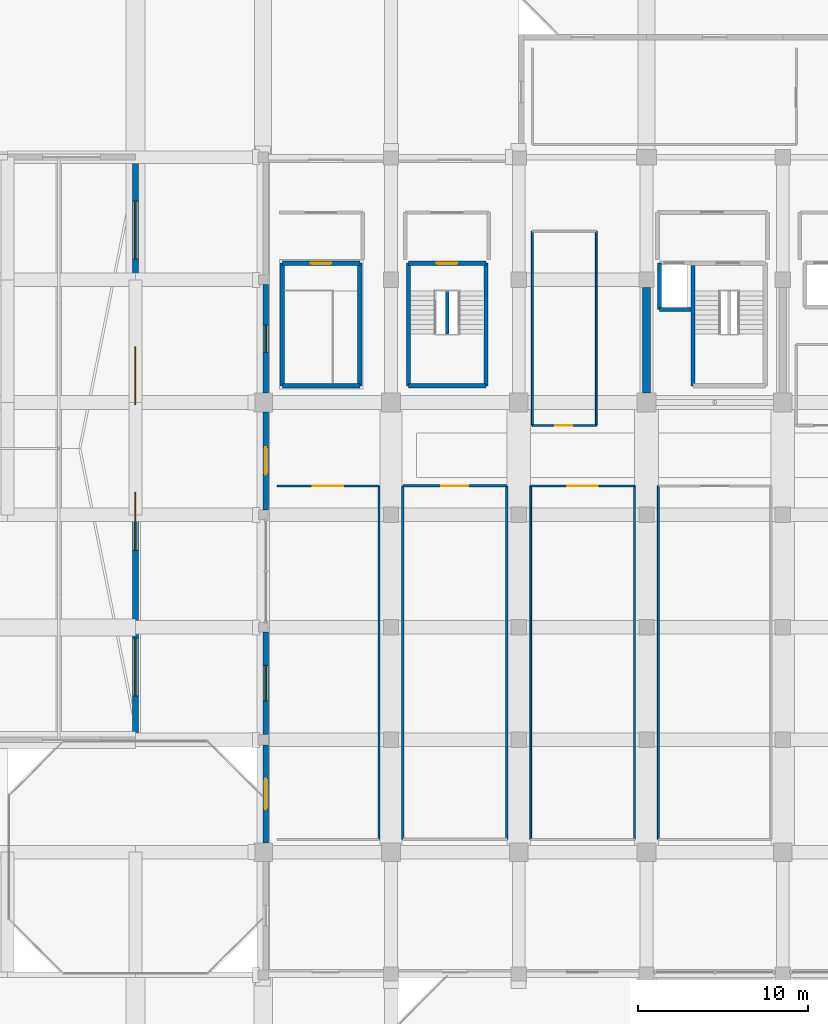
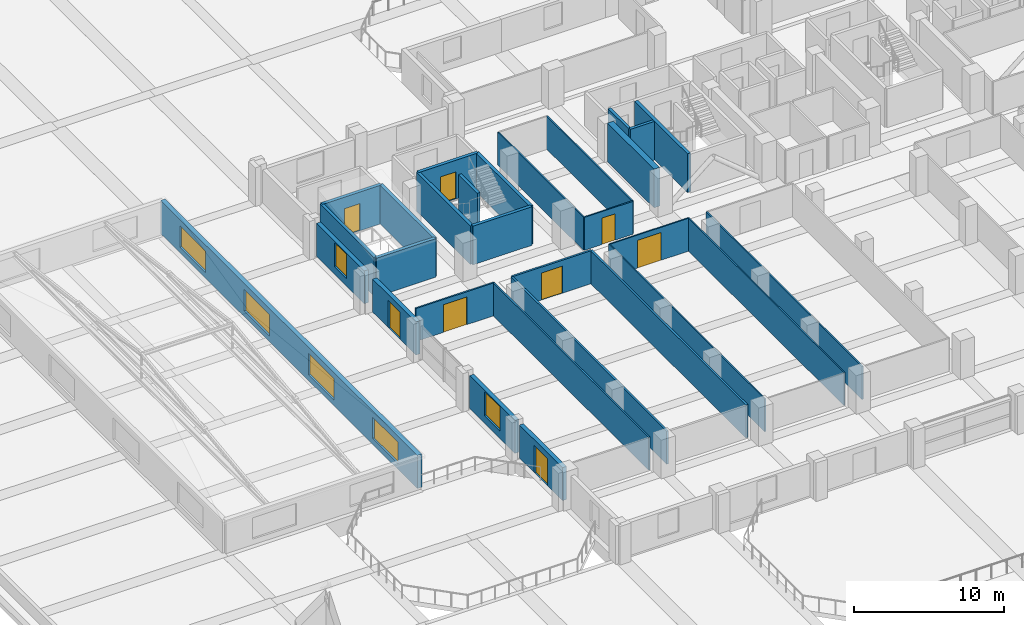
# One storey, part 34 of 49: 30 walls, 8 doors, 6 windows, 14 openings.
"""IFC4 building model written with IfcOpenShell, lengths in metres."""

from ifc_helpers import new_model, si_unit, direction, frame, frame_2d, origin, place, context, subcontext, project, spatial, rectangle, extrude, material, layer, layer_set, type_object, element, fill, save


model = new_model("IFC4")

# Units and contexts
model_context = context("Model", 3, precision=1e-05, world=origin(), true_north=direction((0.0, 1.0)))
body_context = subcontext(model_context, "Body", "Model", "MODEL_VIEW")
ifc_project = project(units=[si_unit("LENGTHUNIT", "METRE"), si_unit("AREAUNIT", "SQUARE_METRE"), si_unit("VOLUMEUNIT", "CUBIC_METRE"), si_unit("PLANEANGLEUNIT", "RADIAN"), si_unit("MASSUNIT", "GRAM", prefix="KILO")], contexts=[model_context])

# Site, building, storey
site_placement = place(None, origin())
site = spatial("IfcSite", under=ifc_project, at=site_placement, CompositionType="ELEMENT")
building_placement = place(site_placement, origin())
building = spatial("IfcBuilding", under=site, at=building_placement, Name="Akrevak Sports Hall", CompositionType="ELEMENT")
storey_placement = place(building_placement, frame((0.0, 0.0, 24.14990234375)))
storey = spatial("IfcBuildingStorey", under=building, at=storey_placement, Name="L04", CompositionType="ELEMENT", Elevation=24.14990234375)

# Wall, opening, window
ifc_material_1 = material(Name="Limestone Ashlar", Category="stone")
ifc_layer_1 = layer(ifc_material_1, 0.070068359375, Name="Limestone Ashlar")
ifc_material_2 = material(Name="Mineral Wool Thermal Insulation", Category="insulation")
ifc_layer_2 = layer(ifc_material_2, 0.090087890625, Name="Mineral Wool Thermal Insulation")
ifc_material_3 = material(Name="Concrete C40/50", Category="concrete")
ifc_layer_3 = layer(ifc_material_3, 0.159912109375, Name="Concrete C40/50")
ifc_layer_set_1 = layer_set([ifc_layer_1, ifc_layer_2, ifc_layer_3], Name="Limestone Ashlar / Mineral Wool Thermal Insulation / Concrete C40/50")
wall_type_1 = type_object("IfcWallType", Name="ARC-WL-EXT-320", PredefinedType="SOLIDWALL", material=ifc_layer_set_1)
wall_1_placement = place(storey_placement, frame((37.659912109375, 62.125, 0.0), z_axis=(0.0, 0.0, 1.0), x_axis=(0.0, -1.0, 0.0)))
wall_1 = element("IfcWall", 1, at=wall_1_placement, inside=storey, type_object=wall_type_1, Name="Tower Stone Facade Wall L04-W31", PredefinedType="SOLIDWALL", context=body_context, shape_type="SweptSolid", body=[
    extrude(rectangle(XDim=6.375, YDim=0.320068359375, at=frame_2d((3.1875, 0.0))), origin(), (0.0, 0.0, 1.0), 2.68017578125),
])
opening_1_placement = place(wall_1_placement, frame((2.387451171875, 0.0, 0.6201171875)))
opening_1 = element("IfcOpeningElement", 2, at=opening_1_placement, cuts=wall_1, Name="Opening WN-43", PredefinedType="OPENING", context=body_context, shape_type="SweptSolid", body=[
    extrude(rectangle(XDim=1.60009765625, YDim=1.9599609375, at=frame_2d((0.800048828125, 0.97998046875))), frame((0.0, 0.171875, 0.0), z_axis=(0.0, -1.0, 0.0), x_axis=(1.0, 0.0, 0.0)), (0.0, 0.0, 1.0), 0.343994140625),
])
ifc_material_4 = material(Name="Thermally Broken Bronze Frame & Double Low-E Glass", Category="glass")
window_type_1 = type_object("IfcWindowType", Name="ARC-WIN-SZ-1600x1960", PartitioningType="SINGLE_PANEL", PredefinedType="WINDOW", material=ifc_material_4)
window_1_placement = place(opening_1_placement, origin())
window_1 = element("IfcWindow", 3, at=window_1_placement, inside=storey, type_object=window_type_1, Name="Tower Window L04-W31", OverallHeight=1.9599609375, OverallWidth=1.60009765625, PartitioningType="SINGLE_PANEL", PredefinedType="WINDOW", context=body_context, shape_type="SweptSolid", body=[
    extrude(rectangle(XDim=1.60009765625, YDim=1.9599609375, at=frame_2d((0.800048828125, 0.97998046875))), frame((0.0, 0.030029296875, 0.0), z_axis=(0.0, -1.0, 0.0), x_axis=(1.0, 0.0, 0.0)), (0.0, 0.0, 1.0), 0.06005859375),
])
fill(opening_1, window_1)

# Wall, opening, door
wall_2_placement = place(storey_placement, frame((37.659912109375, 54.64990234375, 0.0), z_axis=(0.0, 0.0, 1.0), x_axis=(0.0, -1.0, 0.0)))
wall_2 = element("IfcWall", 4, at=wall_2_placement, inside=storey, type_object=wall_type_1, Name="Tower Stone Facade Wall L04-W32", PredefinedType="SOLIDWALL", context=body_context, shape_type="SweptSolid", body=[
    extrude(rectangle(XDim=5.77490234375, YDim=0.320068359375, at=frame_2d((2.887451171875, 0.0))), origin(), (0.0, 0.0, 1.0), 2.68017578125),
])
opening_2_placement = place(wall_2_placement, frame((2.08740234375, 0.0, 0.0)))
opening_2 = element("IfcOpeningElement", 5, at=opening_2_placement, cuts=wall_2, Name="Opening TD-02", PredefinedType="OPENING", context=body_context, shape_type="SweptSolid", body=[
    extrude(rectangle(XDim=1.60009765625, YDim=2.199951171875, at=frame_2d((0.800048828125, 1.10009765625))), frame((0.0, 0.171875, 0.0), z_axis=(0.0, -1.0, 0.0), x_axis=(1.0, 0.0, 0.0)), (0.0, 0.0, 1.0), 0.343994140625),
])
ifc_material_5 = material(Name="Anodized Bronze Aluminium & Tempered Glass", Category="aluminium")
door_type_1 = type_object("IfcDoorType", Name="ARC-DR-TERR-160x220", OperationType="DOUBLE_DOOR_SINGLE_SWING", PredefinedType="DOOR", material=ifc_material_5)
door_1_placement = place(opening_2_placement, frame((1.60009765625, 0.0, 0.0), z_axis=(0.0, 0.0, 1.0), x_axis=(-1.0, 0.0, 0.0)))
door_1 = element("IfcDoor", 6, at=door_1_placement, inside=storey, type_object=door_type_1, Name="Maintenance Roof Access Door TD-09", OperationType="DOUBLE_DOOR_SINGLE_SWING", OverallHeight=2.199951171875, OverallWidth=1.60009765625, PredefinedType="DOOR", context=body_context, shape_type="SweptSolid", body=[
    extrude(rectangle(XDim=1.60009765625, YDim=2.199951171875, at=frame_2d((0.800048828125, 1.10009765625))), frame((0.0, 0.02490234375, 0.0), z_axis=(0.0, -1.0, 0.0), x_axis=(1.0, 0.0, 0.0)), (0.0, 0.0, 1.0), 0.050048828125),
])
fill(opening_2, door_1)

# Wall, opening, window
wall_3_placement = place(storey_placement, frame((37.659912109375, 41.72509765625, 0.0), z_axis=(0.0, 0.0, 1.0), x_axis=(0.0, -1.0, 0.0)))
wall_3 = element("IfcWall", 7, at=wall_3_placement, inside=storey, type_object=wall_type_1, Name="Tower Stone Facade Wall L04-W34", PredefinedType="SOLIDWALL", context=body_context, shape_type="SweptSolid", body=[
    extrude(rectangle(XDim=6.025146484375, YDim=0.320068359375, at=frame_2d((3.0126953125, 0.0))), origin(), (0.0, 0.0, 1.0), 2.68017578125),
])
opening_3_placement = place(wall_3_placement, frame((1.96240234375, 0.0, 0.6201171875)))
opening_3 = element("IfcOpeningElement", 8, at=opening_3_placement, cuts=wall_3, Name="Opening WN-46", PredefinedType="OPENING", context=body_context, shape_type="SweptSolid", body=[
    extrude(rectangle(XDim=2.10009765625, YDim=1.9599609375, at=frame_2d((1.050048828125, 0.97998046875))), frame((0.0, 0.171875, 0.0), z_axis=(0.0, -1.0, 0.0), x_axis=(1.0, 0.0, 0.0)), (0.0, 0.0, 1.0), 0.343994140625),
])
window_type_2 = type_object("IfcWindowType", Name="ARC-WIN-SZ-2100x1960", PartitioningType="SINGLE_PANEL", PredefinedType="WINDOW", material=ifc_material_4)
window_2_placement = place(opening_3_placement, origin())
window_2 = element("IfcWindow", 9, at=window_2_placement, inside=storey, type_object=window_type_2, Name="Tower Window L04-W34", OverallHeight=1.9599609375, OverallWidth=2.10009765625, PartitioningType="SINGLE_PANEL", PredefinedType="WINDOW", context=body_context, shape_type="SweptSolid", body=[
    extrude(rectangle(XDim=2.10009765625, YDim=1.9599609375, at=frame_2d((1.050048828125, 0.97998046875))), frame((0.0, 0.030029296875, 0.0), z_axis=(0.0, -1.0, 0.0), x_axis=(1.0, 0.0, 0.0)), (0.0, 0.0, 1.0), 0.06005859375),
])
fill(opening_3, window_2)

# Wall, opening, door
wall_4_placement = place(storey_placement, frame((37.659912109375, 35.10009765625, 0.0), z_axis=(0.0, 0.0, 1.0), x_axis=(0.0, -1.0, 0.0)))
wall_4 = element("IfcWall", 10, at=wall_4_placement, inside=storey, type_object=wall_type_1, Name="Tower Stone Facade Wall L04-W35", PredefinedType="SOLIDWALL", context=body_context, shape_type="SweptSolid", body=[
    extrude(rectangle(XDim=5.75, YDim=0.320068359375, at=frame_2d((2.875, 0.0))), origin(), (0.0, 0.0, 1.0), 2.68017578125),
])
opening_4_placement = place(wall_4_placement, frame((1.97509765625, 0.0, 0.0)))
opening_4 = element("IfcOpeningElement", 11, at=opening_4_placement, cuts=wall_4, Name="Opening TD-01", PredefinedType="OPENING", context=body_context, shape_type="SweptSolid", body=[
    extrude(rectangle(XDim=1.800048828125, YDim=2.199951171875, at=frame_2d((0.89990234375, 1.10009765625))), frame((0.0, 0.171875, 0.0), z_axis=(0.0, -1.0, 0.0), x_axis=(1.0, 0.0, 0.0)), (0.0, 0.0, 1.0), 0.343994140625),
])
door_type_2 = type_object("IfcDoorType", Name="ARC-DR-TERR-180x220", OperationType="DOUBLE_DOOR_SINGLE_SWING", PredefinedType="DOOR", material=ifc_material_5)
door_2_placement = place(opening_4_placement, frame((1.800048828125, 0.0, 0.0), z_axis=(0.0, 0.0, 1.0), x_axis=(-1.0, 0.0, 0.0)))
door_2 = element("IfcDoor", 12, at=door_2_placement, inside=storey, type_object=door_type_2, Name="Podium West Garden Terrace Door TD-01", OperationType="DOUBLE_DOOR_SINGLE_SWING", OverallHeight=2.199951171875, OverallWidth=1.800048828125, PredefinedType="DOOR", context=body_context, shape_type="SweptSolid", body=[
    extrude(rectangle(XDim=1.800048828125, YDim=2.199951171875, at=frame_2d((0.89990234375, 1.10009765625))), frame((0.0, 0.02490234375, 0.0), z_axis=(0.0, -1.0, 0.0), x_axis=(1.0, 0.0, 0.0)), (0.0, 0.0, 1.0), 0.050048828125),
])
fill(opening_4, door_2)

# Wall, openings, windows
ifc_layer_4 = layer(ifc_material_1, 0.070068359375, Name="Limestone Ashlar")
ifc_layer_5 = layer(ifc_material_2, 0.10009765625, Name="Mineral Wool Thermal Insulation")
ifc_layer_6 = layer(ifc_material_3, 0.169921875, Name="Concrete C40/50")
ifc_layer_set_2 = layer_set([ifc_layer_4, ifc_layer_5, ifc_layer_6], Name="Limestone Ashlar / Mineral Wool Thermal Insulation / Concrete C40/50")
wall_type_2 = type_object("IfcWallType", Name="ARC-WL-EXT-340", PredefinedType="SOLIDWALL", material=ifc_layer_set_2)
wall_5_placement = place(storey_placement, frame((30.0, 35.39990234375, 0.0), z_axis=(0.0, 0.0, 1.0), x_axis=(0.0, 1.0, 0.0)))
wall_5 = element("IfcWall", 13, at=wall_5_placement, inside=storey, type_object=wall_type_2, Name="West Sports Hall Clerestory Monitor E Wall", PredefinedType="SOLIDWALL", context=body_context, shape_type="SweptSolid", body=[
    extrude(rectangle(XDim=34.2001953125, YDim=0.340087890625, at=frame_2d((17.10009765625, 0.0))), origin(), (0.0, 0.0, 1.0), 2.7001953125),
])
opening_5_placement = place(wall_5_placement, frame((2.574951171875, 0.0, 0.4599609375)))
opening_5 = element("IfcOpeningElement", 14, at=opening_5_placement, cuts=wall_5, Name="Opening WN-59", PredefinedType="OPENING", context=body_context, shape_type="SweptSolid", body=[
    extrude(rectangle(XDim=3.39990234375, YDim=1.739990234375, at=frame_2d((1.699951171875, 0.8701171875))), frame((0.0, 0.18212890625, 0.0), z_axis=(0.0, -1.0, 0.0), x_axis=(1.0, 0.0, 0.0)), (0.0, 0.0, 1.0), 0.364013671875),
])
opening_6_placement = place(wall_5_placement, frame((11.125, 0.0, 0.4599609375)))
opening_6 = element("IfcOpeningElement", 15, at=opening_6_placement, cuts=wall_5, Name="Opening WN-59", PredefinedType="OPENING", context=body_context, shape_type="SweptSolid", body=[
    extrude(rectangle(XDim=3.39990234375, YDim=1.739990234375, at=frame_2d((1.699951171875, 0.8701171875))), frame((0.0, 0.18212890625, 0.0), z_axis=(0.0, -1.0, 0.0), x_axis=(1.0, 0.0, 0.0)), (0.0, 0.0, 1.0), 0.364013671875),
])
opening_7_placement = place(wall_5_placement, frame((19.675048828125, 0.0, 0.4599609375)))
opening_7 = element("IfcOpeningElement", 16, at=opening_7_placement, cuts=wall_5, Name="Opening WN-59", PredefinedType="OPENING", context=body_context, shape_type="SweptSolid", body=[
    extrude(rectangle(XDim=3.39990234375, YDim=1.739990234375, at=frame_2d((1.699951171875, 0.8701171875))), frame((0.0, 0.18212890625, 0.0), z_axis=(0.0, -1.0, 0.0), x_axis=(1.0, 0.0, 0.0)), (0.0, 0.0, 1.0), 0.364013671875),
])
opening_8_placement = place(wall_5_placement, frame((28.22509765625, 0.0, 0.4599609375)))
opening_8 = element("IfcOpeningElement", 17, at=opening_8_placement, cuts=wall_5, Name="Opening WN-59", PredefinedType="OPENING", context=body_context, shape_type="SweptSolid", body=[
    extrude(rectangle(XDim=3.39990234375, YDim=1.739990234375, at=frame_2d((1.699951171875, 0.8701171875))), frame((0.0, 0.18212890625, 0.0), z_axis=(0.0, -1.0, 0.0), x_axis=(1.0, 0.0, 0.0)), (0.0, 0.0, 1.0), 0.364013671875),
])
window_type_3 = type_object("IfcWindowType", Name="ARC-WIN-SZ-3400x1740", PartitioningType="SINGLE_PANEL", PredefinedType="WINDOW", material=ifc_material_4)
window_3_placement = place(opening_5_placement, origin())
window_3 = element("IfcWindow", 18, at=window_3_placement, inside=storey, type_object=window_type_3, Name="West Sports Hall Clerestory Monitor Clerestory Window E.1", OverallHeight=1.739990234375, OverallWidth=3.39990234375, PartitioningType="SINGLE_PANEL", PredefinedType="WINDOW", context=body_context, shape_type="SweptSolid", body=[
    extrude(rectangle(XDim=3.39990234375, YDim=1.739990234375, at=frame_2d((1.699951171875, 0.8701171875))), frame((0.0, 0.030029296875, 0.0), z_axis=(0.0, -1.0, 0.0), x_axis=(1.0, 0.0, 0.0)), (0.0, 0.0, 1.0), 0.06005859375),
])
fill(opening_5, window_3)
window_4_placement = place(opening_6_placement, origin())
window_4 = element("IfcWindow", 19, at=window_4_placement, inside=storey, type_object=window_type_3, Name="West Sports Hall Clerestory Monitor Clerestory Window E.2", OverallHeight=1.739990234375, OverallWidth=3.39990234375, PartitioningType="SINGLE_PANEL", PredefinedType="WINDOW", context=body_context, shape_type="SweptSolid", body=[
    extrude(rectangle(XDim=3.39990234375, YDim=1.739990234375, at=frame_2d((1.699951171875, 0.8701171875))), frame((0.0, 0.030029296875, 0.0), z_axis=(0.0, -1.0, 0.0), x_axis=(1.0, 0.0, 0.0)), (0.0, 0.0, 1.0), 0.06005859375),
])
fill(opening_6, window_4)
window_5_placement = place(opening_7_placement, origin())
window_5 = element("IfcWindow", 20, at=window_5_placement, inside=storey, type_object=window_type_3, Name="West Sports Hall Clerestory Monitor Clerestory Window E.3", OverallHeight=1.739990234375, OverallWidth=3.39990234375, PartitioningType="SINGLE_PANEL", PredefinedType="WINDOW", context=body_context, shape_type="SweptSolid", body=[
    extrude(rectangle(XDim=3.39990234375, YDim=1.739990234375, at=frame_2d((1.699951171875, 0.8701171875))), frame((0.0, 0.030029296875, 0.0), z_axis=(0.0, -1.0, 0.0), x_axis=(1.0, 0.0, 0.0)), (0.0, 0.0, 1.0), 0.06005859375),
])
fill(opening_7, window_5)
window_6_placement = place(opening_8_placement, origin())
window_6 = element("IfcWindow", 21, at=window_6_placement, inside=storey, type_object=window_type_3, Name="West Sports Hall Clerestory Monitor Clerestory Window E.4", OverallHeight=1.739990234375, OverallWidth=3.39990234375, PartitioningType="SINGLE_PANEL", PredefinedType="WINDOW", context=body_context, shape_type="SweptSolid", body=[
    extrude(rectangle(XDim=3.39990234375, YDim=1.739990234375, at=frame_2d((1.699951171875, 0.8701171875))), frame((0.0, 0.030029296875, 0.0), z_axis=(0.0, -1.0, 0.0), x_axis=(1.0, 0.0, 0.0)), (0.0, 0.0, 1.0), 0.06005859375),
])
fill(opening_8, window_6)

# Wall, opening, door
ifc_material_6 = material(Name="Sanitary Cubicle Partition", Category="gypsum")
ifc_layer_7 = layer(ifc_material_6, 0.10009765625, Name="Sanitary Cubicle Partition")
ifc_layer_set_3 = layer_set([ifc_layer_7], Name="Sanitary Cubicle Partition")
wall_type_3 = type_object("IfcWallType", Name="ARC-WL-PRT-100", PredefinedType="PARTITIONING", material=ifc_layer_set_3)
wall_6_placement = place(storey_placement, frame((53.199951171875, 50.300048828125, 0.0), z_axis=(0.0, 0.0, 1.0), x_axis=(1.0, 0.0, 0.0)))
wall_6 = element("IfcWall", 22, at=wall_6_placement, inside=storey, type_object=wall_type_3, Name="Interior Partition Olympic Trophy & Heritage Gallery West (N)", PredefinedType="PARTITIONING", context=body_context, shape_type="SweptSolid", body=[
    extrude(rectangle(XDim=6.10009765625, YDim=0.10009765625, at=frame_2d((3.050048828125, 0.0))), origin(), (0.0, 0.0, 1.0), 2.68017578125),
])
opening_9_placement = place(wall_6_placement, frame((2.14990234375, 0.0, 0.0)))
opening_9 = element("IfcOpeningElement", 23, at=opening_9_placement, cuts=wall_6, Name="Opening ID-02", PredefinedType="OPENING", context=body_context, shape_type="SweptSolid", body=[
    extrude(rectangle(XDim=1.800048828125, YDim=2.25, at=frame_2d((0.89990234375, 1.125))), frame((0.0, 0.06201171875, 0.0), z_axis=(0.0, -1.0, 0.0), x_axis=(1.0, 0.0, 0.0)), (0.0, 0.0, 1.0), 0.1240234375),
])
ifc_material_7 = material(Name="Hardwood Oak & Safety Glass", Category="wood")
door_type_3 = type_object("IfcDoorType", Name="ARC-DR-HALL-180x225", OperationType="DOUBLE_DOOR_SINGLE_SWING", PredefinedType="DOOR", material=ifc_material_7)
door_3_placement = place(opening_9_placement, origin())
door_3 = element("IfcDoor", 24, at=door_3_placement, inside=storey, type_object=door_type_3, Name="Door to Olympic Trophy & Heritage Gallery West", OperationType="DOUBLE_DOOR_SINGLE_SWING", OverallHeight=2.25, OverallWidth=1.800048828125, PredefinedType="DOOR", context=body_context, shape_type="SweptSolid", body=[
    extrude(rectangle(XDim=1.800048828125, YDim=2.25, at=frame_2d((0.89990234375, 1.125))), frame((0.0, 0.02490234375, 0.0), z_axis=(0.0, -1.0, 0.0), x_axis=(1.0, 0.0, 0.0)), (0.0, 0.0, 1.0), 0.050048828125),
])
fill(opening_9, door_3)

# Walls
for number, where, z_axis, x_axis, name in (
    (25, (53.199951171875, 29.550048828125, 0.0), (0.0, 0.0, 1.0), (0.0, 1.0, 0.0), "Interior Partition Olympic Trophy & Heritage Gallery West (W)"),
    (26, (59.300048828125, 29.550048828125, 0.0), (0.0, 0.0, 1.0), (0.0, 1.0, 0.0), "Interior Partition Olympic Trophy & Heritage Gallery West (E)"),
):
    element("IfcWall", number, at=place(storey_placement, frame(where, z_axis=z_axis, x_axis=x_axis)), inside=storey, type_object=wall_type_3, Name=name, PredefinedType="PARTITIONING", context=body_context, shape_type="SweptSolid", body=[
        extrude(rectangle(XDim=20.75, YDim=0.10009765625, at=frame_2d((10.375, 0.0))), origin(), (0.0, 0.0, 1.0), 2.68017578125),
    ])
ifc_material_8 = material(Name="Lightweight Office Partition", Category="gypsum")
ifc_layer_8 = layer(ifc_material_8, 0.110107421875, Name="Lightweight Office Partition")
ifc_layer_set_4 = layer_set([ifc_layer_8], Name="Lightweight Office Partition")
wall_type_4 = type_object("IfcWallType", Name="ARC-WL-PRT-110", PredefinedType="PARTITIONING", material=ifc_layer_set_4)
wall_7_placement = place(storey_placement, frame((60.699951171875, 29.550048828125, 0.0), z_axis=(0.0, 0.0, 1.0), x_axis=(0.0, 1.0, 0.0)))
element("IfcWall", 27, at=wall_7_placement, inside=storey, type_object=wall_type_4, Name="Interior Partition National Delegates Conference Room L04 (W)", PredefinedType="PARTITIONING", context=body_context, shape_type="SweptSolid", body=[
    extrude(rectangle(XDim=20.75, YDim=0.110107421875, at=frame_2d((10.375, 0.0))), origin(), (0.0, 0.0, 1.0), 2.68017578125),
])

# Wall, opening, door
wall_8_placement = place(storey_placement, frame((53.300048828125, 53.85009765625, 0.0), z_axis=(0.0, 0.0, 1.0), x_axis=(1.0, 0.0, 0.0)))
wall_8 = element("IfcWall", 28, at=wall_8_placement, inside=storey, type_object=wall_type_4, Name="Interior Partition Athletic Federation Press & Media Office L04 (S)", PredefinedType="PARTITIONING", context=body_context, shape_type="SweptSolid", body=[
    extrude(rectangle(XDim=3.75, YDim=0.110107421875, at=frame_2d((1.875, 0.0))), origin(), (0.0, 0.0, 1.0), 2.68017578125),
])
opening_10_placement = place(wall_8_placement, frame((1.35009765625, 0.0, 0.0)))
opening_10 = element("IfcOpeningElement", 29, at=opening_10_placement, cuts=wall_8, Name="Opening ID-06", PredefinedType="OPENING", context=body_context, shape_type="SweptSolid", body=[
    extrude(rectangle(XDim=1.0, YDim=2.14990234375, at=frame_2d((0.5, 1.074951171875))), frame((0.0, 0.06689453125, 0.0), z_axis=(0.0, -1.0, 0.0), x_axis=(1.0, 0.0, 0.0)), (0.0, 0.0, 1.0), 0.134033203125),
])
ifc_material_9 = material(Name="Hardwood Oak Acoustic Leaf", Category="wood")
door_type_4 = type_object("IfcDoorType", Name="ARC-DR-OFF-100x215", OperationType="NOTDEFINED", PredefinedType="DOOR", material=ifc_material_9)
door_4_placement = place(opening_10_placement, frame((1.0, 0.0, 0.0), z_axis=(0.0, 0.0, 1.0), x_axis=(-1.0, 0.0, 0.0)))
door_4 = element("IfcDoor", 30, at=door_4_placement, inside=storey, type_object=door_type_4, Name="Door to Athletic Federation Press & Media Office L04", OperationType="SINGLE_SWING_RIGHT", OverallHeight=2.14990234375, OverallWidth=1.0, PredefinedType="DOOR", context=body_context, shape_type="SweptSolid", body=[
    extrude(rectangle(XDim=1.0, YDim=2.14990234375, at=frame_2d((0.5, 1.074951171875))), frame((0.0, 0.02490234375, 0.0), z_axis=(0.0, -1.0, 0.0), x_axis=(1.0, 0.0, 0.0)), (0.0, 0.0, 1.0), 0.050048828125),
])
fill(opening_10, door_4)

# Walls
for number, where, z_axis, x_axis, name in (
    (31, (53.300048828125, 53.85009765625, 0.0), (0.0, 0.0, 1.0), (0.0, 1.0, 0.0), "Interior Partition Athletic Federation Press & Media Office L04 (W)"),
    (32, (57.050048828125, 53.85009765625, 0.0), (0.0, 0.0, 1.0), (0.0, 1.0, 0.0), "Interior Partition Athletic Federation Press & Media Office L04 (E)"),
):
    element("IfcWall", number, at=place(storey_placement, frame(where, z_axis=z_axis, x_axis=x_axis)), inside=storey, type_object=wall_type_4, Name=name, PredefinedType="PARTITIONING", context=body_context, shape_type="SweptSolid", body=[
        extrude(rectangle(XDim=11.39990234375, YDim=0.110107421875, at=frame_2d((5.699951171875, 0.0))), origin(), (0.0, 0.0, 1.0), 2.68017578125),
    ])

# Wall, opening, door
ifc_material_10 = material(Name="Standard Metal Stud Partition", Category="gypsum")
ifc_layer_9 = layer(ifc_material_10, 0.1201171875, Name="Standard Metal Stud Partition")
ifc_layer_set_5 = layer_set([ifc_layer_9], Name="Standard Metal Stud Partition")
wall_type_5 = type_object("IfcWallType", Name="ARC-WL-PRT-120", PredefinedType="PARTITIONING", material=ifc_layer_set_5)
wall_9_placement = place(storey_placement, frame((38.300048828125, 50.300048828125, 0.0), z_axis=(0.0, 0.0, 1.0), x_axis=(1.0, 0.0, 0.0)))
wall_9 = element("IfcWall", 33, at=wall_9_placement, inside=storey, type_object=wall_type_5, Name="Interior Partition Athletes Garden Lounge West (N)", PredefinedType="PARTITIONING", context=body_context, shape_type="SweptSolid", body=[
    extrude(rectangle(XDim=6.0, YDim=0.1201171875, at=frame_2d((3.0, 0.0))), origin(), (0.0, 0.0, 1.0), 2.68017578125),
])
opening_11_placement = place(wall_9_placement, frame((2.10009765625, 0.0, 0.0)))
opening_11 = element("IfcOpeningElement", 34, at=opening_11_placement, cuts=wall_9, Name="Opening ID-02", PredefinedType="OPENING", context=body_context, shape_type="SweptSolid", body=[
    extrude(rectangle(XDim=1.800048828125, YDim=2.25, at=frame_2d((0.89990234375, 1.125))), frame((0.0, 0.072021484375, 0.0), z_axis=(0.0, -1.0, 0.0), x_axis=(1.0, 0.0, 0.0)), (0.0, 0.0, 1.0), 0.14404296875),
])
door_5_placement = place(opening_11_placement, origin())
door_5 = element("IfcDoor", 35, at=door_5_placement, inside=storey, type_object=door_type_3, Name="Door to Athletes Garden Lounge West", OperationType="DOUBLE_DOOR_SINGLE_SWING", OverallHeight=2.25, OverallWidth=1.800048828125, PredefinedType="DOOR", context=body_context, shape_type="SweptSolid", body=[
    extrude(rectangle(XDim=1.800048828125, YDim=2.25, at=frame_2d((0.89990234375, 1.125))), frame((0.0, 0.02490234375, 0.0), z_axis=(0.0, -1.0, 0.0), x_axis=(1.0, 0.0, 0.0)), (0.0, 0.0, 1.0), 0.050048828125),
])
fill(opening_11, door_5)

# Wall
wall_10_placement = place(storey_placement, frame((44.300048828125, 29.550048828125, 0.0), z_axis=(0.0, 0.0, 1.0), x_axis=(0.0, 1.0, 0.0)))
element("IfcWall", 36, at=wall_10_placement, inside=storey, type_object=wall_type_5, Name="Interior Partition Athletes Garden Lounge West (E)", PredefinedType="PARTITIONING", context=body_context, shape_type="SweptSolid", body=[
    extrude(rectangle(XDim=20.75, YDim=0.1201171875, at=frame_2d((10.375, 0.0))), origin(), (0.0, 0.0, 1.0), 2.68017578125),
])

# Wall, opening, door
ifc_material_11 = material(Name="Double Stud Acoustic Gypsum Partition", Category="gypsum")
ifc_layer_10 = layer(ifc_material_11, 0.14990234375, Name="Double Stud Acoustic Gypsum Partition")
ifc_layer_set_6 = layer_set([ifc_layer_10], Name="Double Stud Acoustic Gypsum Partition")
wall_type_6 = type_object("IfcWallType", Name="ARC-WL-PRT-150", PredefinedType="PARTITIONING", material=ifc_layer_set_6)
wall_11_placement = place(storey_placement, frame((45.699951171875, 50.300048828125, 0.0), z_axis=(0.0, 0.0, 1.0), x_axis=(1.0, 0.0, 0.0)))
wall_11 = element("IfcWall", 37, at=wall_11_placement, inside=storey, type_object=wall_type_6, Name="Interior Partition Federation Plenary Reception Salon West (N)", PredefinedType="PARTITIONING", context=body_context, shape_type="SweptSolid", body=[
    extrude(rectangle(XDim=6.10009765625, YDim=0.14990234375, at=frame_2d((3.050048828125, 0.0))), origin(), (0.0, 0.0, 1.0), 2.68017578125),
])
opening_12_placement = place(wall_11_placement, frame((2.25, 0.0, 0.0)))
opening_12 = element("IfcOpeningElement", 38, at=opening_12_placement, cuts=wall_11, Name="Opening ID-03", PredefinedType="OPENING", context=body_context, shape_type="SweptSolid", body=[
    extrude(rectangle(XDim=1.60009765625, YDim=2.199951171875, at=frame_2d((0.800048828125, 1.10009765625))), frame((0.0, 0.0869140625, 0.0), z_axis=(0.0, -1.0, 0.0), x_axis=(1.0, 0.0, 0.0)), (0.0, 0.0, 1.0), 0.173828125),
])
door_type_5 = type_object("IfcDoorType", Name="ARC-DR-HALL-160x220", OperationType="DOUBLE_DOOR_SINGLE_SWING", PredefinedType="DOOR", material=ifc_material_7)
door_6_placement = place(opening_12_placement, origin())
door_6 = element("IfcDoor", 39, at=door_6_placement, inside=storey, type_object=door_type_5, Name="Door to Federation Plenary Reception Salon West", OperationType="DOUBLE_DOOR_SINGLE_SWING", OverallHeight=2.199951171875, OverallWidth=1.60009765625, PredefinedType="DOOR", context=body_context, shape_type="SweptSolid", body=[
    extrude(rectangle(XDim=1.60009765625, YDim=2.199951171875, at=frame_2d((0.800048828125, 1.10009765625))), frame((0.0, 0.02490234375, 0.0), z_axis=(0.0, -1.0, 0.0), x_axis=(1.0, 0.0, 0.0)), (0.0, 0.0, 1.0), 0.050048828125),
])
fill(opening_12, door_6)

# Walls
for number, where, z_axis, x_axis, name in (
    (40, (45.699951171875, 29.550048828125, 0.0), (0.0, 0.0, 1.0), (0.0, 1.0, 0.0), "Interior Partition Federation Plenary Reception Salon West (W)"),
    (41, (51.800048828125, 29.550048828125, 0.0), (0.0, 0.0, 1.0), (0.0, 1.0, 0.0), "Interior Partition Federation Plenary Reception Salon West (E)"),
):
    element("IfcWall", number, at=place(storey_placement, frame(where, z_axis=z_axis, x_axis=x_axis)), inside=storey, type_object=wall_type_6, Name=name, PredefinedType="PARTITIONING", context=body_context, shape_type="SweptSolid", body=[
        extrude(rectangle(XDim=20.75, YDim=0.14990234375, at=frame_2d((10.375, 0.0))), origin(), (0.0, 0.0, 1.0), 2.68017578125),
    ])
ifc_layer_11 = layer(ifc_material_3, 0.219970703125, Name="Concrete C40/50")
ifc_layer_set_7 = layer_set([ifc_layer_11], Name="Concrete C40/50")
wall_type_7 = type_object("IfcWallType", Name="ARC-WL-PRT-220", PredefinedType="PARTITIONING", material=ifc_layer_set_7)
wall_12_placement = place(storey_placement, frame((48.300048828125, 59.215087890625, 0.0), z_axis=(0.0, 0.0, 1.0), x_axis=(0.0, 1.0, 0.0)))
element("IfcWall", 42, at=wall_12_placement, inside=storey, type_object=wall_type_7, Name="Stair ST4 Central Spine Wall (L04)", PredefinedType="PARTITIONING", context=body_context, shape_type="SweptSolid", body=[
    extrude(rectangle(XDim=2.52001953125, YDim=0.219970703125, at=frame_2d((1.260009765625, 0.0))), origin(), (0.0, 0.0, 1.0), 3.14013671875),
])
ifc_material_12 = material(Name="Concrete C50/60", Category="concrete")
ifc_layer_12 = layer(ifc_material_12, 0.219970703125, Name="Concrete C50/60")
ifc_layer_set_8 = layer_set([ifc_layer_12], Name="Concrete C50/60")
wall_type_8 = type_object("IfcWallType", Name="ARC-WL-SHAFT-220", PredefinedType="SHEAR", material=ifc_layer_set_8)
wall_13_placement = place(storey_placement, frame((60.760009765625, 60.659912109375, 0.0), z_axis=(0.0, 0.0, 1.0), x_axis=(1.0, 0.0, 0.0)))
element("IfcWall", 43, at=wall_13_placement, inside=storey, type_object=wall_type_8, Name="Lift Shaft LF-FF1 Wall S (L04)", PredefinedType="SHEAR", context=body_context, shape_type="SweptSolid", body=[
    extrude(rectangle(XDim=1.840087890625, YDim=0.219970703125, at=frame_2d((0.919921875, 0.0))), origin(), (0.0, 0.0, 1.0), 3.14013671875),
])
wall_14_placement = place(storey_placement, frame((60.760009765625, 63.389892578125, 0.0), z_axis=(0.0, 0.0, 1.0), x_axis=(0.0, -1.0, 0.0)))
element("IfcWall", 44, at=wall_14_placement, inside=storey, type_object=wall_type_8, Name="Lift Shaft LF-FF1 Wall W (L04)", PredefinedType="SHEAR", context=body_context, shape_type="SweptSolid", body=[
    extrude(rectangle(XDim=2.72998046875, YDim=0.219970703125, at=frame_2d((1.364990234375, 0.0))), origin(), (0.0, 0.0, 1.0), 3.14013671875),
])
ifc_layer_13 = layer(ifc_material_12, 0.449951171875, Name="Concrete C50/60")
ifc_layer_set_9 = layer_set([ifc_layer_13], Name="Concrete C50/60")
wall_type_9 = type_object("IfcWallType", Name="STR-WL-CORE-450", PredefinedType="SHEAR", material=ifc_layer_set_9)
wall_15_placement = place(storey_placement, frame((60.0, 55.75, 0.0), z_axis=(0.0, 0.0, 1.0), x_axis=(0.0, 1.0, 0.0)))
element("IfcWall", 45, at=wall_15_placement, inside=storey, type_object=wall_type_9, Name="Reinforced Concrete Shear Wall SW-W2 (L04)", PredefinedType="SHEAR", context=body_context, shape_type="SweptSolid", body=[
    extrude(rectangle(XDim=6.199951171875, YDim=0.449951171875, at=frame_2d((3.10009765625, 0.0))), origin(), (0.0, 0.0, 1.0), 3.14013671875),
])
ifc_layer_14 = layer(ifc_material_12, 0.25, Name="Concrete C50/60")
ifc_layer_set_10 = layer_set([ifc_layer_14], Name="Concrete C50/60")
wall_type_10 = type_object("IfcWallType", Name="STR-WL-STAIR-250", PredefinedType="SHEAR", material=ifc_layer_set_10)
wall_16_placement = place(storey_placement, frame((62.72509765625, 63.25, 0.0), z_axis=(0.0, 0.0, 1.0), x_axis=(0.0, -1.0, 0.0)))
element("IfcWall", 46, at=wall_16_placement, inside=storey, type_object=wall_type_10, Name="Stair Core ST1 Shear Wall W (L04)", PredefinedType="SHEAR", context=body_context, shape_type="SweptSolid", body=[
    extrude(rectangle(XDim=7.074951171875, YDim=0.25, at=frame_2d((3.53759765625, 0.0))), origin(), (0.0, 0.0, 1.0), 3.14013671875),
])
wall_17_placement = place(storey_placement, frame((46.02490234375, 56.175048828125, 0.0), z_axis=(0.0, 0.0, 1.0), x_axis=(1.0, 0.0, 0.0)))
element("IfcWall", 47, at=wall_17_placement, inside=storey, type_object=wall_type_10, Name="Stair Core ST4 Shear Wall S (L04)", PredefinedType="SHEAR", context=body_context, shape_type="SweptSolid", body=[
    extrude(rectangle(XDim=4.550048828125, YDim=0.25, at=frame_2d((2.27490234375, 0.0))), origin(), (0.0, 0.0, 1.0), 3.14013671875),
])

# Wall, opening, door
wall_18_placement = place(storey_placement, frame((50.574951171875, 63.375, 0.0), z_axis=(0.0, 0.0, 1.0), x_axis=(-1.0, 0.0, 0.0)))
wall_18 = element("IfcWall", 48, at=wall_18_placement, inside=storey, type_object=wall_type_10, Name="Stair Core ST4 Shear Wall N (L04)", PredefinedType="SHEAR", context=body_context, shape_type="SweptSolid", body=[
    extrude(rectangle(XDim=4.550048828125, YDim=0.25, at=frame_2d((2.27490234375, 0.0))), origin(), (0.0, 0.0, 1.0), 3.14013671875),
])
opening_13_placement = place(wall_18_placement, frame((1.675048828125, 0.0, 0.0)))
opening_13 = element("IfcOpeningElement", 49, at=opening_13_placement, cuts=wall_18, Name="Opening SD-02", PredefinedType="OPENING", context=body_context, shape_type="SweptSolid", body=[
    extrude(rectangle(XDim=1.199951171875, YDim=2.199951171875, at=frame_2d((0.60009765625, 1.10009765625))), frame((0.0, 0.136962890625, 0.0), z_axis=(0.0, -1.0, 0.0), x_axis=(1.0, 0.0, 0.0)), (0.0, 0.0, 1.0), 0.27392578125),
])
ifc_material_13 = material(Name="Fire-Rated Galvanized Door Steel", Category="steel")
door_type_6 = type_object("IfcDoorType", Name="ARC-DR-STAIR-120x220", OperationType="NOTDEFINED", PredefinedType="DOOR", material=ifc_material_13)
door_7_placement = place(opening_13_placement, origin())
door_7 = element("IfcDoor", 50, at=door_7_placement, inside=storey, type_object=door_type_6, Name="Exit Stair ST4 Door (L04)", OperationType="SINGLE_SWING_LEFT", OverallHeight=2.199951171875, OverallWidth=1.199951171875, PredefinedType="DOOR", context=body_context, shape_type="SweptSolid", body=[
    extrude(rectangle(XDim=1.199951171875, YDim=2.199951171875, at=frame_2d((0.60009765625, 1.10009765625))), frame((0.0, 0.02490234375, 0.0), z_axis=(0.0, -1.0, 0.0), x_axis=(1.0, 0.0, 0.0)), (0.0, 0.0, 1.0), 0.050048828125),
])
fill(opening_13, door_7)

# Walls
for number, where, z_axis, x_axis, name in (
    (51, (46.02490234375, 63.375, 0.0), (0.0, 0.0, 1.0), (0.0, -1.0, 0.0), "Stair Core ST4 Shear Wall W (L04)"),
    (52, (50.574951171875, 56.175048828125, 0.0), (0.0, 0.0, 1.0), (0.0, 1.0, 0.0), "Stair Core ST4 Shear Wall E (L04)"),
):
    element("IfcWall", number, at=place(storey_placement, frame(where, z_axis=z_axis, x_axis=x_axis)), inside=storey, type_object=wall_type_10, Name=name, PredefinedType="SHEAR", context=body_context, shape_type="SweptSolid", body=[
        extrude(rectangle(XDim=7.199951171875, YDim=0.25, at=frame_2d((3.60009765625, 0.0))), origin(), (0.0, 0.0, 1.0), 3.14013671875),
    ])
wall_19_placement = place(storey_placement, frame((38.625, 56.175048828125, 0.0), z_axis=(0.0, 0.0, 1.0), x_axis=(1.0, 0.0, 0.0)))
element("IfcWall", 53, at=wall_19_placement, inside=storey, type_object=wall_type_10, Name="Stair Core ST9 Shear Wall S (L04)", PredefinedType="SHEAR", context=body_context, shape_type="SweptSolid", body=[
    extrude(rectangle(XDim=4.550048828125, YDim=0.25, at=frame_2d((2.27490234375, 0.0))), origin(), (0.0, 0.0, 1.0), 3.14013671875),
])

# Wall, opening, door
wall_20_placement = place(storey_placement, frame((43.175048828125, 63.375, 0.0), z_axis=(0.0, 0.0, 1.0), x_axis=(-1.0, 0.0, 0.0)))
wall_20 = element("IfcWall", 54, at=wall_20_placement, inside=storey, type_object=wall_type_10, Name="Stair Core ST9 Shear Wall N (L04)", PredefinedType="SHEAR", context=body_context, shape_type="SweptSolid", body=[
    extrude(rectangle(XDim=4.550048828125, YDim=0.25, at=frame_2d((2.27490234375, 0.0))), origin(), (0.0, 0.0, 1.0), 3.14013671875),
])
opening_14_placement = place(wall_20_placement, frame((1.675048828125, 0.0, 0.0)))
opening_14 = element("IfcOpeningElement", 55, at=opening_14_placement, cuts=wall_20, Name="Opening SD-02", PredefinedType="OPENING", context=body_context, shape_type="SweptSolid", body=[
    extrude(rectangle(XDim=1.199951171875, YDim=2.199951171875, at=frame_2d((0.60009765625, 1.10009765625))), frame((0.0, 0.136962890625, 0.0), z_axis=(0.0, -1.0, 0.0), x_axis=(1.0, 0.0, 0.0)), (0.0, 0.0, 1.0), 0.27392578125),
])
door_8_placement = place(opening_14_placement, origin())
door_8 = element("IfcDoor", 56, at=door_8_placement, inside=storey, type_object=door_type_6, Name="Exit Stair ST9 Door (L04)", OperationType="SINGLE_SWING_RIGHT", OverallHeight=2.199951171875, OverallWidth=1.199951171875, PredefinedType="DOOR", context=body_context, shape_type="SweptSolid", body=[
    extrude(rectangle(XDim=1.199951171875, YDim=2.199951171875, at=frame_2d((0.60009765625, 1.10009765625))), frame((0.0, 0.02490234375, 0.0), z_axis=(0.0, -1.0, 0.0), x_axis=(1.0, 0.0, 0.0)), (0.0, 0.0, 1.0), 0.050048828125),
])
fill(opening_14, door_8)

# Walls
for number, where, z_axis, x_axis, name in (
    (57, (38.625, 63.375, 0.0), (0.0, 0.0, 1.0), (0.0, -1.0, 0.0), "Stair Core ST9 Shear Wall W (L04)"),
    (58, (43.175048828125, 56.175048828125, 0.0), (0.0, 0.0, 1.0), (0.0, 1.0, 0.0), "Stair Core ST9 Shear Wall E (L04)"),
):
    element("IfcWall", number, at=place(storey_placement, frame(where, z_axis=z_axis, x_axis=x_axis)), inside=storey, type_object=wall_type_10, Name=name, PredefinedType="SHEAR", context=body_context, shape_type="SweptSolid", body=[
        extrude(rectangle(XDim=7.199951171875, YDim=0.25, at=frame_2d((3.60009765625, 0.0))), origin(), (0.0, 0.0, 1.0), 3.14013671875),
    ])

save(model, "model.ifc")
